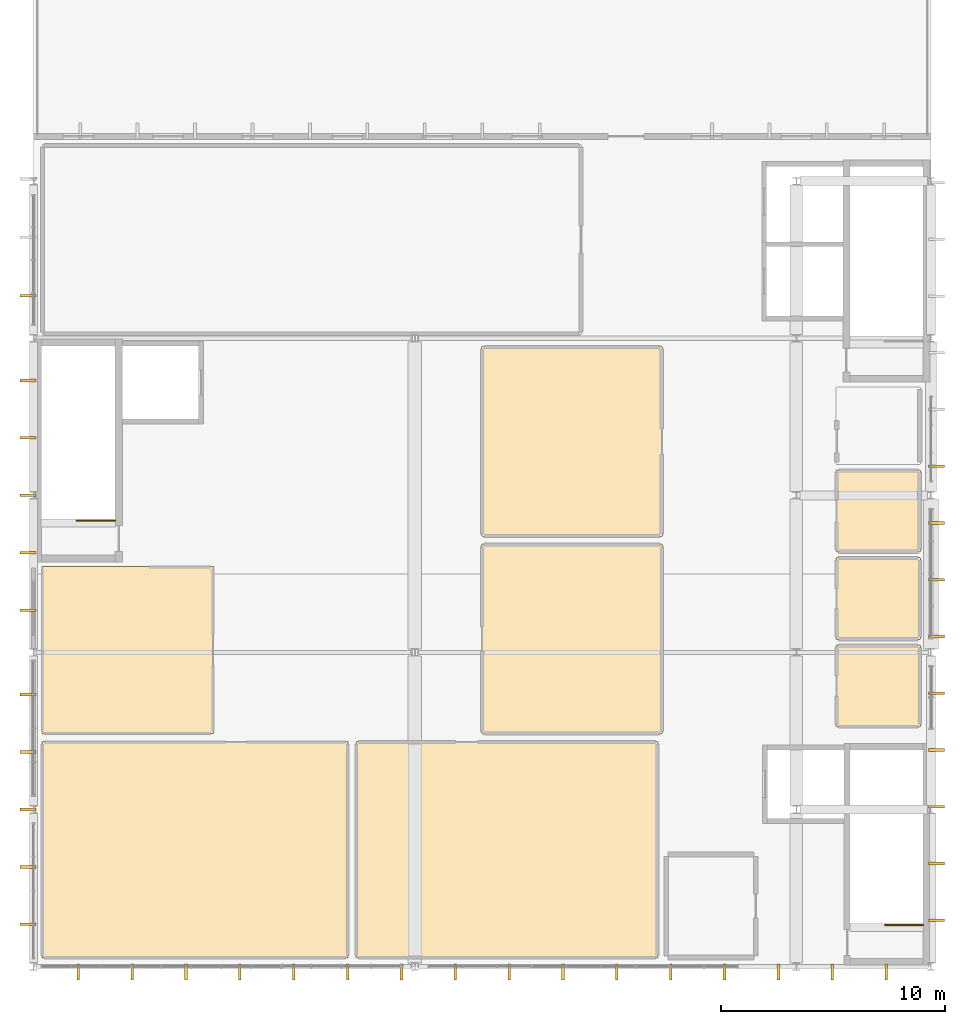
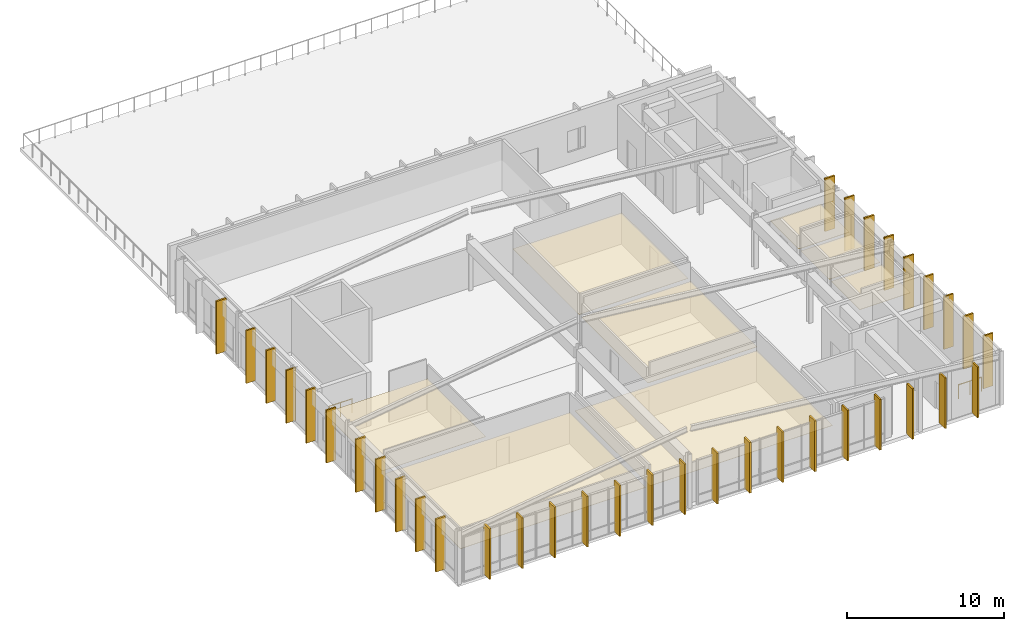
# One storey, part 15 of 16: 44 coverings, 2 railings.
"""IFC4 building model written with IfcOpenShell, lengths in metres."""

from ifc_helpers import new_model, si_unit, direction, frame, origin, origin_2d, place, context, subcontext, project, spatial, polyline, rectangle, circle, outline, extrude, material, layer, layer_set, type_object, element, save


model = new_model("IFC4")

# Units and contexts
model_context = context("Model", 3, precision=1e-05, world=origin(), true_north=direction((0.0, 1.0)))
body_context = subcontext(model_context, "Body", "Model", "MODEL_VIEW")
ifc_project = project(units=[si_unit("LENGTHUNIT", "METRE"), si_unit("AREAUNIT", "SQUARE_METRE"), si_unit("VOLUMEUNIT", "CUBIC_METRE"), si_unit("PLANEANGLEUNIT", "RADIAN"), si_unit("MASSUNIT", "GRAM", prefix="KILO")], contexts=[model_context])

# Site, building, storey
site_placement = place(None, origin())
site = spatial("IfcSite", under=ifc_project, at=site_placement, CompositionType="ELEMENT")
building_placement = place(site_placement, origin())
building = spatial("IfcBuilding", under=site, at=building_placement, Name="Larkveld Mobility Hub", CompositionType="ELEMENT")
storey_placement = place(building_placement, frame((0.0, 0.0, 22.800048828125)))
storey = spatial("IfcBuildingStorey", under=building, at=storey_placement, Name="L06", CompositionType="ELEMENT", Elevation=22.800048828125)

# Coverings
ifc_material_1 = material(Name="Precast concrete C50/60", Category="concrete")
ifc_layer_1 = layer(ifc_material_1, 0.1201171875, Name="Precast concrete C50/60", Category="concrete")
ifc_layer_set_1 = layer_set([ifc_layer_1], Name="Precast concrete C50/60")
covering_type_1 = type_object("IfcCoveringType", Name="COV-QSL-V01", PredefinedType="CLADDING", material=ifc_layer_set_1)
for number, where, z_axis, x_axis, name in (
    (1, (111.760009765625, 40.1201171875, -0.02001953125), (0.0, 0.0, 1.0), (0.0, -1.0, 0.0), "Precast Quebra-Sol Vertical Fin QSV-647"),
    (2, (111.760009765625, 37.56005859375, -0.02001953125), (0.0, 0.0, 1.0), (0.0, -1.0, 0.0), "Precast Quebra-Sol Vertical Fin QSV-648"),
    (3, (111.760009765625, 35.0, -0.02001953125), (0.0, 0.0, 1.0), (0.0, -1.0, 0.0), "Precast Quebra-Sol Vertical Fin QSV-649"),
    (4, (111.760009765625, 32.43994140625, -0.02001953125), (0.0, 0.0, 1.0), (0.0, -1.0, 0.0), "Precast Quebra-Sol Vertical Fin QSV-650"),
    (5, (111.760009765625, 29.8798828125, -0.02001953125), (0.0, 0.0, 1.0), (0.0, -1.0, 0.0), "Precast Quebra-Sol Vertical Fin QSV-651"),
    (6, (111.760009765625, 54.1201171875, -0.02001953125), (0.0, 0.0, 1.0), (0.0, -1.0, 0.0), "Precast Quebra-Sol Vertical Fin QSV-652"),
    (7, (111.760009765625, 51.56005859375, -0.02001953125), (0.0, 0.0, 1.0), (0.0, -1.0, 0.0), "Precast Quebra-Sol Vertical Fin QSV-653"),
    (8, (111.760009765625, 49.0, -0.02001953125), (0.0, 0.0, 1.0), (0.0, -1.0, 0.0), "Precast Quebra-Sol Vertical Fin QSV-654"),
    (9, (111.760009765625, 46.43994140625, -0.02001953125), (0.0, 0.0, 1.0), (0.0, -1.0, 0.0), "Precast Quebra-Sol Vertical Fin QSV-655"),
    (10, (111.760009765625, 43.8798828125, -0.02001953125), (0.0, 0.0, 1.0), (0.0, -1.0, 0.0), "Precast Quebra-Sol Vertical Fin QSV-656"),
    (11, (111.760009765625, 57.89990234375, -0.02001953125), (0.0, 0.0, 1.0), (0.0, -1.0, 0.0), "Precast Quebra-Sol Vertical Fin QSV-659"),
    (12, (152.239990234375, 30.06396484375, -0.02001953125), (0.0, 0.0, 1.0), (0.0, 1.0, 0.0), "Precast Quebra-Sol Vertical Fin QSV-660"),
    (13, (152.239990234375, 32.593017578125, -0.02001953125), (0.0, 0.0, 1.0), (0.0, 1.0, 0.0), "Precast Quebra-Sol Vertical Fin QSV-661"),
    (14, (152.239990234375, 35.12109375, -0.02001953125), (0.0, 0.0, 1.0), (0.0, 1.0, 0.0), "Precast Quebra-Sol Vertical Fin QSV-662"),
    (15, (152.239990234375, 37.64990234375, -0.02001953125), (0.0, 0.0, 1.0), (0.0, 1.0, 0.0), "Precast Quebra-Sol Vertical Fin QSV-663"),
    (16, (152.239990234375, 40.178955078125, -0.02001953125), (0.0, 0.0, 1.0), (0.0, 1.0, 0.0), "Precast Quebra-Sol Vertical Fin QSV-664"),
    (17, (152.239990234375, 42.70703125, -0.02001953125), (0.0, 0.0, 1.0), (0.0, 1.0, 0.0), "Precast Quebra-Sol Vertical Fin QSV-665"),
    (18, (152.239990234375, 45.236083984375, -0.02001953125), (0.0, 0.0, 1.0), (0.0, 1.0, 0.0), "Precast Quebra-Sol Vertical Fin QSV-666"),
    (19, (152.239990234375, 47.763916015625, -0.02001953125), (0.0, 0.0, 1.0), (0.0, 1.0, 0.0), "Precast Quebra-Sol Vertical Fin QSV-667"),
    (20, (152.239990234375, 50.29296875, -0.02001953125), (0.0, 0.0, 1.0), (0.0, 1.0, 0.0), "Precast Quebra-Sol Vertical Fin QSV-668"),
):
    element("IfcCovering", number, at=place(storey_placement, frame(where, z_axis=z_axis, x_axis=x_axis)), inside=storey, type_object=covering_type_1, Name=name, PredefinedType="CLADDING", context=body_context, shape_type="SweptSolid", body=[
        extrude(rectangle(XDim=0.1201171875, YDim=0.719970703125, at=origin_2d()), origin(), (0.0, 0.0, 1.0), 4.1201171875),
    ])
for number, where, z_axis, x_axis, name in (
    (21, (114.0, 27.760009765625, -0.02001953125), (0.0, 0.0, 1.0), (1.0, 0.0, 0.0), "Precast Quebra-Sol Vertical Fin QSV-687"),
    (22, (116.39990234375, 27.760009765625, -0.02001953125), (0.0, 0.0, 1.0), (1.0, 0.0, 0.0), "Precast Quebra-Sol Vertical Fin QSV-688"),
    (23, (118.800048828125, 27.760009765625, -0.02001953125), (0.0, 0.0, 1.0), (1.0, 0.0, 0.0), "Precast Quebra-Sol Vertical Fin QSV-689"),
    (24, (121.199951171875, 27.760009765625, -0.02001953125), (0.0, 0.0, 1.0), (1.0, 0.0, 0.0), "Precast Quebra-Sol Vertical Fin QSV-690"),
    (25, (123.60009765625, 27.760009765625, -0.02001953125), (0.0, 0.0, 1.0), (1.0, 0.0, 0.0), "Precast Quebra-Sol Vertical Fin QSV-691"),
    (26, (126.0, 27.760009765625, -0.02001953125), (0.0, 0.0, 1.0), (1.0, 0.0, 0.0), "Precast Quebra-Sol Vertical Fin QSV-692"),
    (27, (128.39990234375, 27.760009765625, -0.02001953125), (0.0, 0.0, 1.0), (1.0, 0.0, 0.0), "Precast Quebra-Sol Vertical Fin QSV-693"),
    (28, (130.800048828125, 27.760009765625, -0.02001953125), (0.0, 0.0, 1.0), (1.0, 0.0, 0.0), "Precast Quebra-Sol Vertical Fin QSV-694"),
    (29, (133.199951171875, 27.760009765625, -0.02001953125), (0.0, 0.0, 1.0), (1.0, 0.0, 0.0), "Precast Quebra-Sol Vertical Fin QSV-695"),
    (30, (135.60009765625, 27.760009765625, -0.02001953125), (0.0, 0.0, 1.0), (1.0, 0.0, 0.0), "Precast Quebra-Sol Vertical Fin QSV-696"),
    (31, (138.0, 27.760009765625, -0.02001953125), (0.0, 0.0, 1.0), (1.0, 0.0, 0.0), "Precast Quebra-Sol Vertical Fin QSV-697"),
    (32, (140.39990234375, 27.760009765625, -0.02001953125), (0.0, 0.0, 1.0), (1.0, 0.0, 0.0), "Precast Quebra-Sol Vertical Fin QSV-698"),
    (33, (142.800048828125, 27.760009765625, -0.02001953125), (0.0, 0.0, 1.0), (1.0, 0.0, 0.0), "Precast Quebra-Sol Vertical Fin QSV-699"),
    (34, (145.199951171875, 27.760009765625, -0.02001953125), (0.0, 0.0, 1.0), (1.0, 0.0, 0.0), "Precast Quebra-Sol Vertical Fin QSV-700"),
    (35, (147.60009765625, 27.760009765625, -0.02001953125), (0.0, 0.0, 1.0), (1.0, 0.0, 0.0), "Precast Quebra-Sol Vertical Fin QSV-701"),
    (36, (150.0, 27.760009765625, -0.02001953125), (0.0, 0.0, 1.0), (1.0, 0.0, 0.0), "Precast Quebra-Sol Vertical Fin QSV-702"),
):
    element("IfcCovering", number, at=place(storey_placement, frame(where, z_axis=z_axis, x_axis=x_axis)), inside=storey, type_object=covering_type_1, Name=name, PredefinedType="CLADDING", context=body_context, shape_type="SweptSolid", body=[
        extrude(rectangle(XDim=0.1201171875, YDim=0.719970703125, at=origin_2d()), origin(), (0.0, 0.0, 1.0), 3.949951171875),
    ])
ifc_material_2 = material(Name="Perforated mineral-fibre acoustic ceiling", Category="masonry")
ifc_layer_2 = layer(ifc_material_2, 0.02001953125, Name="Perforated mineral-fibre acoustic ceiling", Category="masonry")
ifc_layer_set_2 = layer_set([ifc_layer_2], Name="Perforated mineral-fibre acoustic ceiling")
covering_type_2 = type_object("IfcCoveringType", Name="CV-CLG-020", PredefinedType="CEILING", material=ifc_layer_set_2)
covering_1_placement = place(storey_placement, frame((0.0, 0.0, 2.329833984375)))
element("IfcCovering", 37, at=covering_1_placement, inside=storey, type_object=covering_type_2, Name="Female Public Toilet Acoustic Ceiling 062", PredefinedType="CEILING", context=body_context, shape_type="SweptSolid", body=[
    extrude(outline(polyline([(147.820068359375, 42.570068359375), (147.81689453125, 42.570068359375), (147.81396484375, 42.571044921875), (147.81103515625, 42.571044921875), (147.80908203125, 42.572021484375), (147.805908203125, 42.573974609375), (147.802978515625, 42.574951171875), (147.801025390625, 42.576904296875), (147.799072265625, 42.5791015625), (147.779052734375, 42.59912109375), (147.777099609375, 42.60107421875), (147.77490234375, 42.60302734375), (147.77392578125, 42.60595703125), (147.77197265625, 42.60888671875), (147.77099609375, 42.611083984375), (147.77099609375, 42.614013671875), (147.77001953125, 42.616943359375), (147.77001953125, 42.6201171875), (147.77587890625, 46.194091796875), (147.77587890625, 46.197021484375), (147.77587890625, 46.199951171875), (147.777099609375, 46.202880859375), (147.778076171875, 46.2060546875), (147.779052734375, 46.2080078125), (147.781005859375, 46.2109375), (147.782958984375, 46.212890625), (147.784912109375, 46.215087890625), (147.787109375, 46.217041015625), (147.7890625, 46.218994140625), (147.7919921875, 46.220947265625), (147.7939453125, 46.221923828125), (147.797119140625, 46.222900390625), (147.800048828125, 46.22412109375), (147.802978515625, 46.22412109375), (147.805908203125, 46.22412109375), (151.493896484375, 46.22412109375), (151.4970703125, 46.22412109375), (151.5, 46.22412109375), (151.5029296875, 46.222900390625), (151.506103515625, 46.221923828125), (151.508056640625, 46.220947265625), (151.510986328125, 46.218994140625), (151.512939453125, 46.217041015625), (151.514892578125, 46.215087890625), (151.51708984375, 46.212890625), (151.51904296875, 46.2109375), (151.52099609375, 46.2080078125), (151.52197265625, 46.2060546875), (151.52294921875, 46.202880859375), (151.52392578125, 46.199951171875), (151.52392578125, 46.197021484375), (151.52392578125, 46.194091796875), (151.52392578125, 42.60595703125), (151.52392578125, 42.60302734375), (151.52392578125, 42.60009765625), (151.52294921875, 42.596923828125), (151.52197265625, 42.593994140625), (151.52099609375, 42.592041015625), (151.51904296875, 42.589111328125), (151.51708984375, 42.5869140625), (151.514892578125, 42.5849609375), (151.512939453125, 42.5830078125), (151.510986328125, 42.5810546875), (151.508056640625, 42.5791015625), (151.506103515625, 42.577880859375), (151.5029296875, 42.576904296875), (151.5, 42.575927734375), (151.4970703125, 42.575927734375), (151.493896484375, 42.575927734375), (147.820068359375, 42.570068359375)])), origin(), (0.0, 0.0, 1.0), 0.02001953125),
])
covering_2_placement = place(storey_placement, frame((0.0, 0.0, 2.329833984375)))
element("IfcCovering", 38, at=covering_2_placement, inside=storey, type_object=covering_type_2, Name="Visiting Team Changing and Shower Room Acoustic Ceiling 066", PredefinedType="CEILING", context=body_context, shape_type="SweptSolid", body=[
    extrude(outline(polyline([(126.419921875, 28.3701171875), (126.4169921875, 28.3701171875), (126.4140625, 28.37109375), (126.410888671875, 28.37109375), (126.408935546875, 28.3720703125), (126.406005859375, 28.3740234375), (126.403076171875, 28.375), (126.40087890625, 28.376953125), (126.39892578125, 28.37890625), (126.37890625, 28.39892578125), (126.376953125, 28.40087890625), (126.375, 28.403076171875), (126.3740234375, 28.406005859375), (126.3720703125, 28.408935546875), (126.37109375, 28.410888671875), (126.37109375, 28.4140625), (126.3701171875, 28.4169921875), (126.3701171875, 28.419921875), (126.37890625, 37.9970703125), (126.37890625, 38.0), (126.37890625, 38.0029296875), (126.3798828125, 38.0048828125), (126.381103515625, 38.008056640625), (126.382080078125, 38.010986328125), (126.384033203125, 38.012939453125), (126.385986328125, 38.01611328125), (126.387939453125, 38.01806640625), (126.389892578125, 38.02001953125), (126.39208984375, 38.02197265625), (126.39501953125, 38.02294921875), (126.39697265625, 38.02392578125), (126.39990234375, 38.02490234375), (126.403076171875, 38.02587890625), (126.406005859375, 38.02587890625), (126.408935546875, 38.027099609375), (139.797119140625, 38.02099609375), (139.800048828125, 38.02099609375), (139.802001953125, 38.02099609375), (139.804931640625, 38.02001953125), (139.80810546875, 38.01904296875), (139.81103515625, 38.01806640625), (139.81298828125, 38.01611328125), (139.81591796875, 38.013916015625), (139.818115234375, 38.011962890625), (139.820068359375, 38.010009765625), (139.822021484375, 38.008056640625), (139.822998046875, 38.0048828125), (139.823974609375, 38.0029296875), (139.824951171875, 38.0), (139.825927734375, 37.9970703125), (139.825927734375, 37.993896484375), (139.826904296875, 37.990966796875), (139.821044921875, 28.403076171875), (139.821044921875, 28.39990234375), (139.821044921875, 28.39794921875), (139.820068359375, 28.39501953125), (139.819091796875, 28.39208984375), (139.818115234375, 28.388916015625), (139.81591796875, 28.386962890625), (139.81396484375, 28.384033203125), (139.81201171875, 28.382080078125), (139.81005859375, 28.3798828125), (139.80810546875, 28.3779296875), (139.804931640625, 28.376953125), (139.802978515625, 28.3759765625), (139.800048828125, 28.375), (139.797119140625, 28.3740234375), (139.7939453125, 28.3740234375), (139.791015625, 28.373046875), (126.419921875, 28.3701171875)])), origin(), (0.0, 0.0, 1.0), 0.02001953125),
])
covering_3_placement = place(storey_placement, frame((0.0, 0.0, 2.329833984375)))
element("IfcCovering", 39, at=covering_3_placement, inside=storey, type_object=covering_type_2, Name="Rooftop Sports Pavilion Refreshment Cafe Acoustic Ceiling 068", PredefinedType="CEILING", context=body_context, shape_type="SweptSolid", body=[
    extrude(outline(polyline([(132.02001953125, 47.169921875), (132.01708984375, 47.169921875), (132.013916015625, 47.1708984375), (132.010986328125, 47.1708984375), (132.009033203125, 47.172119140625), (132.006103515625, 47.174072265625), (132.0029296875, 47.175048828125), (132.0009765625, 47.177001953125), (131.9990234375, 47.178955078125), (131.97900390625, 47.198974609375), (131.97705078125, 47.200927734375), (131.97509765625, 47.202880859375), (131.97412109375, 47.2060546875), (131.971923828125, 47.208984375), (131.970947265625, 47.2109375), (131.970947265625, 47.214111328125), (131.969970703125, 47.217041015625), (131.969970703125, 47.219970703125), (131.97607421875, 55.593994140625), (131.97607421875, 55.596923828125), (131.97607421875, 55.60009765625), (131.97705078125, 55.60302734375), (131.97802734375, 55.60595703125), (131.97900390625, 55.60791015625), (131.98095703125, 55.611083984375), (131.98291015625, 55.613037109375), (131.985107421875, 55.614990234375), (131.987060546875, 55.616943359375), (131.989013671875, 55.618896484375), (131.991943359375, 55.62109375), (131.993896484375, 55.6220703125), (131.9970703125, 55.623046875), (132.0, 55.6240234375), (132.0029296875, 55.6240234375), (132.006103515625, 55.6240234375), (139.993896484375, 55.6240234375), (139.9970703125, 55.6240234375), (140.0, 55.6240234375), (140.0029296875, 55.623046875), (140.006103515625, 55.6220703125), (140.008056640625, 55.62109375), (140.010986328125, 55.618896484375), (140.012939453125, 55.616943359375), (140.014892578125, 55.614990234375), (140.01708984375, 55.613037109375), (140.01904296875, 55.611083984375), (140.02099609375, 55.60791015625), (140.02197265625, 55.60595703125), (140.02294921875, 55.60302734375), (140.02392578125, 55.60009765625), (140.02392578125, 55.596923828125), (140.02392578125, 55.593994140625), (140.02392578125, 47.2060546875), (140.02392578125, 47.202880859375), (140.02392578125, 47.199951171875), (140.02294921875, 47.197021484375), (140.02197265625, 47.194091796875), (140.02099609375, 47.19189453125), (140.01904296875, 47.18896484375), (140.01708984375, 47.18701171875), (140.014892578125, 47.18505859375), (140.012939453125, 47.18310546875), (140.010986328125, 47.180908203125), (140.008056640625, 47.178955078125), (140.006103515625, 47.177978515625), (140.0029296875, 47.177001953125), (140.0, 47.176025390625), (139.9970703125, 47.176025390625), (139.993896484375, 47.176025390625), (132.02001953125, 47.169921875)])), origin(), (0.0, 0.0, 1.0), 0.02001953125),
])
covering_4_placement = place(storey_placement, frame((0.0, 0.0, 2.329833984375)))
element("IfcCovering", 40, at=covering_4_placement, inside=storey, type_object=covering_type_2, Name="Sports Medicine and Rehabilitation Clinic Acoustic Ceiling 070", PredefinedType="CEILING", context=body_context, shape_type="SweptSolid", body=[
    extrude(outline(polyline([(112.419921875, 38.3701171875), (112.4169921875, 38.3701171875), (112.4140625, 38.37109375), (112.410888671875, 38.37109375), (112.408935546875, 38.3720703125), (112.406005859375, 38.3740234375), (112.403076171875, 38.375), (112.40087890625, 38.376953125), (112.39892578125, 38.37890625), (112.37890625, 38.39892578125), (112.376953125, 38.40087890625), (112.375, 38.403076171875), (112.3740234375, 38.406005859375), (112.3720703125, 38.408935546875), (112.37109375, 38.410888671875), (112.37109375, 38.4140625), (112.3701171875, 38.4169921875), (112.3701171875, 38.419921875), (112.3759765625, 45.7939453125), (112.3759765625, 45.797119140625), (112.3759765625, 45.800048828125), (112.376953125, 45.802978515625), (112.3779296875, 45.805908203125), (112.37890625, 45.80810546875), (112.381103515625, 45.81103515625), (112.383056640625, 45.81298828125), (112.385009765625, 45.81494140625), (112.386962890625, 45.81689453125), (112.388916015625, 45.819091796875), (112.39208984375, 45.821044921875), (112.39404296875, 45.822021484375), (112.39697265625, 45.822998046875), (112.39990234375, 45.823974609375), (112.403076171875, 45.823974609375), (112.406005859375, 45.823974609375), (119.993896484375, 45.823974609375), (119.9970703125, 45.823974609375), (120.0, 45.823974609375), (120.0029296875, 45.822998046875), (120.006103515625, 45.822021484375), (120.008056640625, 45.821044921875), (120.010986328125, 45.819091796875), (120.012939453125, 45.81689453125), (120.014892578125, 45.81494140625), (120.01708984375, 45.81298828125), (120.01904296875, 45.81103515625), (120.02099609375, 45.80810546875), (120.02197265625, 45.805908203125), (120.02294921875, 45.802978515625), (120.02392578125, 45.800048828125), (120.02392578125, 45.797119140625), (120.02392578125, 45.7939453125), (120.02392578125, 38.406005859375), (120.02392578125, 38.403076171875), (120.02392578125, 38.39990234375), (120.02294921875, 38.39697265625), (120.02197265625, 38.39404296875), (120.02099609375, 38.39208984375), (120.01904296875, 38.388916015625), (120.01708984375, 38.386962890625), (120.014892578125, 38.385009765625), (120.012939453125, 38.383056640625), (120.010986328125, 38.381103515625), (120.008056640625, 38.37890625), (120.006103515625, 38.3779296875), (120.0029296875, 38.376953125), (120.0, 38.3759765625), (119.9970703125, 38.3759765625), (119.993896484375, 38.3759765625), (112.419921875, 38.3701171875)])), origin(), (0.0, 0.0, 1.0), 0.02001953125),
])
ifc_material_3 = material(Name="Moisture-resistant gypsum board ceiling", Category="masonry")
ifc_layer_3 = layer(ifc_material_3, 0.02490234375, Name="Moisture-resistant gypsum board ceiling", Category="masonry")
ifc_layer_set_3 = layer_set([ifc_layer_3], Name="Moisture-resistant gypsum board ceiling")
covering_type_3 = type_object("IfcCoveringType", Name="CV-CLG-025", PredefinedType="CEILING", material=ifc_layer_set_3)
covering_5_placement = place(storey_placement, frame((0.0, 0.0, 2.324951171875)))
element("IfcCovering", 41, at=covering_5_placement, inside=storey, type_object=covering_type_3, Name="Male Public Toilet Acoustic Ceiling 061", PredefinedType="CEILING", context=body_context, shape_type="SweptSolid", body=[
    extrude(outline(polyline([(147.820068359375, 38.669921875), (147.81689453125, 38.669921875), (147.81396484375, 38.6708984375), (147.81103515625, 38.6708984375), (147.80908203125, 38.672119140625), (147.805908203125, 38.674072265625), (147.802978515625, 38.675048828125), (147.801025390625, 38.677001953125), (147.799072265625, 38.678955078125), (147.779052734375, 38.698974609375), (147.777099609375, 38.700927734375), (147.77490234375, 38.702880859375), (147.77392578125, 38.7060546875), (147.77197265625, 38.708984375), (147.77099609375, 38.7109375), (147.77099609375, 38.714111328125), (147.77001953125, 38.717041015625), (147.77001953125, 38.719970703125), (147.77587890625, 42.2939453125), (147.77587890625, 42.297119140625), (147.77587890625, 42.300048828125), (147.777099609375, 42.302978515625), (147.778076171875, 42.305908203125), (147.779052734375, 42.30810546875), (147.781005859375, 42.31103515625), (147.782958984375, 42.31298828125), (147.784912109375, 42.31494140625), (147.787109375, 42.31689453125), (147.7890625, 42.319091796875), (147.7919921875, 42.321044921875), (147.7939453125, 42.322021484375), (147.797119140625, 42.322998046875), (147.800048828125, 42.323974609375), (147.802978515625, 42.323974609375), (147.805908203125, 42.323974609375), (151.493896484375, 42.323974609375), (151.4970703125, 42.323974609375), (151.5, 42.323974609375), (151.5029296875, 42.322998046875), (151.506103515625, 42.322021484375), (151.508056640625, 42.321044921875), (151.510986328125, 42.319091796875), (151.512939453125, 42.31689453125), (151.514892578125, 42.31494140625), (151.51708984375, 42.31298828125), (151.51904296875, 42.31103515625), (151.52099609375, 42.30810546875), (151.52197265625, 42.305908203125), (151.52294921875, 42.302978515625), (151.52392578125, 42.300048828125), (151.52392578125, 42.297119140625), (151.52392578125, 42.2939453125), (151.52392578125, 38.7060546875), (151.52392578125, 38.702880859375), (151.52392578125, 38.699951171875), (151.52294921875, 38.697021484375), (151.52197265625, 38.694091796875), (151.52099609375, 38.69189453125), (151.51904296875, 38.68896484375), (151.51708984375, 38.68701171875), (151.514892578125, 38.68505859375), (151.512939453125, 38.68310546875), (151.510986328125, 38.680908203125), (151.508056640625, 38.678955078125), (151.506103515625, 38.677978515625), (151.5029296875, 38.677001953125), (151.5, 38.676025390625), (151.4970703125, 38.676025390625), (151.493896484375, 38.676025390625), (147.820068359375, 38.669921875)])), origin(), (0.0, 0.0, 1.0), 0.02490234375),
])
covering_6_placement = place(storey_placement, frame((0.0, 0.0, 2.324951171875)))
element("IfcCovering", 42, at=covering_6_placement, inside=storey, type_object=covering_type_3, Name="Accessible Unisex Toilet Acoustic Ceiling 063", PredefinedType="CEILING", context=body_context, shape_type="SweptSolid", body=[
    extrude(outline(polyline([(147.820068359375, 46.469970703125), (147.81689453125, 46.469970703125), (147.81396484375, 46.470947265625), (147.81103515625, 46.470947265625), (147.80908203125, 46.471923828125), (147.805908203125, 46.47412109375), (147.802978515625, 46.47509765625), (147.801025390625, 46.47705078125), (147.799072265625, 46.47900390625), (147.779052734375, 46.4990234375), (147.777099609375, 46.5009765625), (147.77490234375, 46.5029296875), (147.77392578125, 46.506103515625), (147.77197265625, 46.509033203125), (147.77099609375, 46.510986328125), (147.77099609375, 46.513916015625), (147.77001953125, 46.51708984375), (147.77001953125, 46.52001953125), (147.77587890625, 50.093994140625), (147.77587890625, 50.096923828125), (147.77587890625, 50.10009765625), (147.777099609375, 50.10302734375), (147.778076171875, 50.10595703125), (147.779052734375, 50.10791015625), (147.781005859375, 50.111083984375), (147.782958984375, 50.113037109375), (147.784912109375, 50.114990234375), (147.787109375, 50.116943359375), (147.7890625, 50.118896484375), (147.7919921875, 50.12109375), (147.7939453125, 50.1220703125), (147.797119140625, 50.123046875), (147.800048828125, 50.1240234375), (147.802978515625, 50.1240234375), (147.805908203125, 50.1240234375), (151.493896484375, 50.1240234375), (151.4970703125, 50.1240234375), (151.5, 50.1240234375), (151.5029296875, 50.123046875), (151.506103515625, 50.1220703125), (151.508056640625, 50.12109375), (151.510986328125, 50.118896484375), (151.512939453125, 50.116943359375), (151.514892578125, 50.114990234375), (151.51708984375, 50.113037109375), (151.51904296875, 50.111083984375), (151.52099609375, 50.10791015625), (151.52197265625, 50.10595703125), (151.52294921875, 50.10302734375), (151.52392578125, 50.10009765625), (151.52392578125, 50.096923828125), (151.52392578125, 50.093994140625), (151.52392578125, 46.506103515625), (151.52392578125, 46.5029296875), (151.52392578125, 46.5), (151.52294921875, 46.4970703125), (151.52197265625, 46.493896484375), (151.52099609375, 46.491943359375), (151.51904296875, 46.489013671875), (151.51708984375, 46.487060546875), (151.514892578125, 46.485107421875), (151.512939453125, 46.48291015625), (151.510986328125, 46.48095703125), (151.508056640625, 46.47900390625), (151.506103515625, 46.47802734375), (151.5029296875, 46.47705078125), (151.5, 46.47607421875), (151.4970703125, 46.47607421875), (151.493896484375, 46.47607421875), (147.820068359375, 46.469970703125)])), origin(), (0.0, 0.0, 1.0), 0.02490234375),
])
covering_7_placement = place(storey_placement, frame((0.0, 0.0, 2.324951171875)))
element("IfcCovering", 43, at=covering_7_placement, inside=storey, type_object=covering_type_3, Name="Host Squad Changing and Shower Room Acoustic Ceiling 065", PredefinedType="CEILING", context=body_context, shape_type="SweptSolid", body=[
    extrude(outline(polyline([(112.419921875, 28.3701171875), (112.4169921875, 28.3701171875), (112.4140625, 28.37109375), (112.410888671875, 28.37109375), (112.408935546875, 28.3720703125), (112.406005859375, 28.3740234375), (112.403076171875, 28.375), (112.40087890625, 28.376953125), (112.39892578125, 28.37890625), (112.37890625, 28.39892578125), (112.376953125, 28.40087890625), (112.375, 28.403076171875), (112.3740234375, 28.406005859375), (112.3720703125, 28.408935546875), (112.37109375, 28.410888671875), (112.37109375, 28.4140625), (112.3701171875, 28.4169921875), (112.3701171875, 28.419921875), (112.37890625, 37.9970703125), (112.37890625, 38.0), (112.37890625, 38.0029296875), (112.3798828125, 38.0048828125), (112.381103515625, 38.008056640625), (112.382080078125, 38.010986328125), (112.384033203125, 38.012939453125), (112.385986328125, 38.01611328125), (112.387939453125, 38.01806640625), (112.389892578125, 38.02001953125), (112.39208984375, 38.02197265625), (112.39501953125, 38.02294921875), (112.39697265625, 38.02392578125), (112.39990234375, 38.02490234375), (112.403076171875, 38.02587890625), (112.406005859375, 38.02587890625), (112.408935546875, 38.027099609375), (125.9970703125, 38.02099609375), (126.0, 38.02099609375), (126.001953125, 38.02099609375), (126.0048828125, 38.02001953125), (126.008056640625, 38.01904296875), (126.010986328125, 38.01806640625), (126.012939453125, 38.01611328125), (126.01611328125, 38.013916015625), (126.01806640625, 38.011962890625), (126.02001953125, 38.010009765625), (126.02197265625, 38.008056640625), (126.02294921875, 38.0048828125), (126.02392578125, 38.0029296875), (126.02490234375, 38.0), (126.02587890625, 37.9970703125), (126.02587890625, 37.993896484375), (126.027099609375, 37.990966796875), (126.02099609375, 28.403076171875), (126.02099609375, 28.39990234375), (126.02099609375, 28.39794921875), (126.02001953125, 28.39501953125), (126.01904296875, 28.39208984375), (126.01806640625, 28.388916015625), (126.01611328125, 28.386962890625), (126.013916015625, 28.384033203125), (126.011962890625, 28.382080078125), (126.010009765625, 28.3798828125), (126.008056640625, 28.3779296875), (126.0048828125, 28.376953125), (126.0029296875, 28.3759765625), (126.0, 28.375), (125.9970703125, 28.3740234375), (125.993896484375, 28.3740234375), (125.990966796875, 28.373046875), (112.419921875, 28.3701171875)])), origin(), (0.0, 0.0, 1.0), 0.02490234375),
])
covering_8_placement = place(storey_placement, frame((0.0, 0.0, 2.324951171875)))
element("IfcCovering", 44, at=covering_8_placement, inside=storey, type_object=covering_type_3, Name="Match Officials Changing Room and Office Acoustic Ceiling 067", PredefinedType="CEILING", context=body_context, shape_type="SweptSolid", body=[
    extrude(outline(polyline([(132.02001953125, 38.3701171875), (132.01708984375, 38.3701171875), (132.013916015625, 38.37109375), (132.010986328125, 38.37109375), (132.009033203125, 38.3720703125), (132.006103515625, 38.3740234375), (132.0029296875, 38.375), (132.0009765625, 38.376953125), (131.9990234375, 38.37890625), (131.97900390625, 38.39892578125), (131.97705078125, 38.40087890625), (131.97509765625, 38.403076171875), (131.97412109375, 38.406005859375), (131.971923828125, 38.408935546875), (131.970947265625, 38.410888671875), (131.970947265625, 38.4140625), (131.969970703125, 38.4169921875), (131.969970703125, 38.419921875), (131.97607421875, 46.7939453125), (131.97607421875, 46.797119140625), (131.97607421875, 46.800048828125), (131.97705078125, 46.802978515625), (131.97802734375, 46.805908203125), (131.97900390625, 46.80810546875), (131.98095703125, 46.81103515625), (131.98291015625, 46.81298828125), (131.985107421875, 46.81494140625), (131.987060546875, 46.81689453125), (131.989013671875, 46.819091796875), (131.991943359375, 46.821044921875), (131.993896484375, 46.822021484375), (131.9970703125, 46.822998046875), (132.0, 46.823974609375), (132.0029296875, 46.823974609375), (132.006103515625, 46.823974609375), (139.993896484375, 46.823974609375), (139.9970703125, 46.823974609375), (140.0, 46.823974609375), (140.0029296875, 46.822998046875), (140.006103515625, 46.822021484375), (140.008056640625, 46.821044921875), (140.010986328125, 46.819091796875), (140.012939453125, 46.81689453125), (140.014892578125, 46.81494140625), (140.01708984375, 46.81298828125), (140.01904296875, 46.81103515625), (140.02099609375, 46.80810546875), (140.02197265625, 46.805908203125), (140.02294921875, 46.802978515625), (140.02392578125, 46.800048828125), (140.02392578125, 46.797119140625), (140.02392578125, 46.7939453125), (140.02392578125, 38.406005859375), (140.02392578125, 38.403076171875), (140.02392578125, 38.39990234375), (140.02294921875, 38.39697265625), (140.02197265625, 38.39404296875), (140.02099609375, 38.39208984375), (140.01904296875, 38.388916015625), (140.01708984375, 38.386962890625), (140.014892578125, 38.385009765625), (140.012939453125, 38.383056640625), (140.010986328125, 38.381103515625), (140.008056640625, 38.37890625), (140.006103515625, 38.3779296875), (140.0029296875, 38.376953125), (140.0, 38.3759765625), (139.9970703125, 38.3759765625), (139.993896484375, 38.3759765625), (132.02001953125, 38.3701171875)])), origin(), (0.0, 0.0, 1.0), 0.02490234375),
])

# Railings
ifc_material_4 = material(Name="Galvanized Steel S355JR balustrade", Category="steel")
railing_type = type_object("IfcRailingType", Name="RL-GRD-1100", PredefinedType="GUARDRAIL", material=ifc_material_4)
railing_1_placement = place(storey_placement, frame((151.64990234375, 29.85009765625, 0.0)))
element("IfcRailing", 45, at=railing_1_placement, inside=storey, type_object=railing_type, Name="L06 ST1 top well guard 1", PredefinedType="GUARDRAIL", context=body_context, shape_type="SweptSolid", body=[
    extrude(circle(Radius=0.02392578125, at=origin_2d()), frame((0.0, 0.0, 1.076171875), z_axis=(-1.0, 0.0, 0.0), x_axis=(0.0, -1.0, 0.0)), (0.0, 0.0, 1.0), 1.699951171875),
    extrude(circle(Radius=0.02099609375, at=origin_2d()), origin(), (0.0, 0.0, 1.0), 1.052001953125),
    extrude(circle(Radius=0.02099609375, at=origin_2d()), frame((-0.85009765625, 0.0, 0.0)), (0.0, 0.0, 1.0), 1.052001953125),
    extrude(circle(Radius=0.02099609375, at=origin_2d()), frame((-1.699951171875, 0.0, 0.0)), (0.0, 0.0, 1.0), 1.052001953125),
])
railing_2_placement = place(storey_placement, frame((115.639892578125, 47.8701171875, 0.0)))
element("IfcRailing", 46, at=railing_2_placement, inside=storey, type_object=railing_type, Name="L06 ST3 top well guard 1", PredefinedType="GUARDRAIL", context=body_context, shape_type="SweptSolid", body=[
    extrude(circle(Radius=0.02392578125, at=origin_2d()), frame((0.0, 0.0, 1.076171875), z_axis=(-1.0, 0.0, 0.0), x_axis=(0.0, -1.0, 0.0)), (0.0, 0.0, 1.0), 1.719970703125),
    extrude(circle(Radius=0.02099609375, at=origin_2d()), origin(), (0.0, 0.0, 1.0), 1.052001953125),
    extrude(circle(Radius=0.02099609375, at=origin_2d()), frame((-0.85986328125, 0.0, 0.0)), (0.0, 0.0, 1.0), 1.052001953125),
    extrude(circle(Radius=0.02099609375, at=origin_2d()), frame((-1.719970703125, 0.0, 0.0)), (0.0, 0.0, 1.0), 1.052001953125),
])

save(model, "model.ifc")
